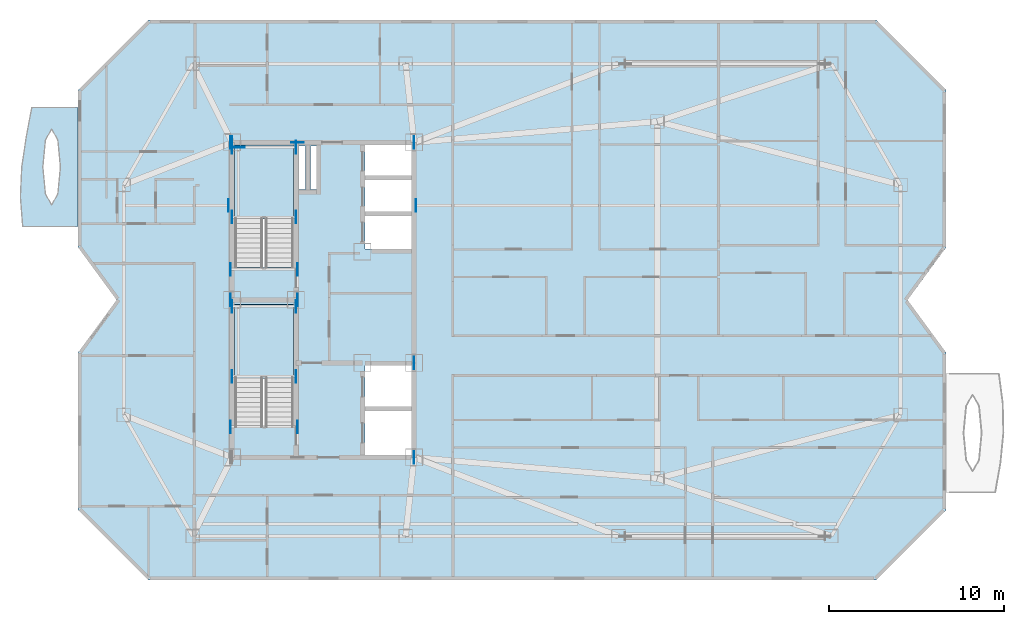
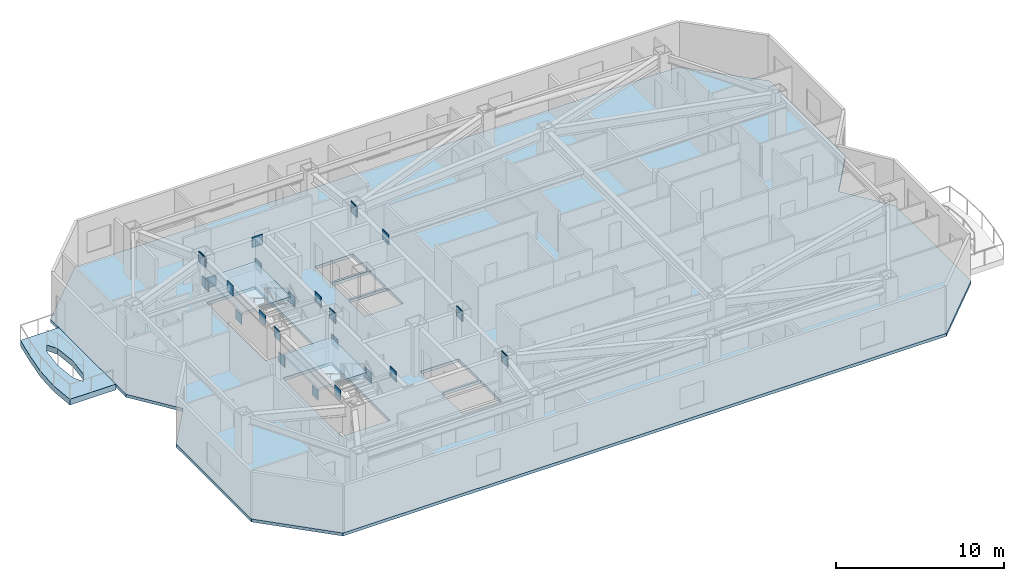
# One storey, part 2 of 11: 25 plates, 4 slabs, 2 elements without a shape of their own.
"""IFC4 building model written with IfcOpenShell, lengths in metres."""

from ifc_helpers import new_model, si_unit, direction, frame, origin, origin_2d, place, context, subcontext, project, spatial, polyline, rectangle, outline, extrude, material, layer, layer_set, type_object, element, aggregate, save


model = new_model("IFC4")

# Units and contexts
model_context = context("Model", 3, precision=1e-05, world=origin(), true_north=direction((0.0, 1.0)))
body_context = subcontext(model_context, "Body", "Model", "MODEL_VIEW")
ifc_project = project(units=[si_unit("LENGTHUNIT", "METRE"), si_unit("AREAUNIT", "SQUARE_METRE"), si_unit("VOLUMEUNIT", "CUBIC_METRE"), si_unit("PLANEANGLEUNIT", "RADIAN"), si_unit("MASSUNIT", "GRAM", prefix="KILO")], contexts=[model_context])

# Site, building, storey
site_placement = place(None, origin())
site = spatial("IfcSite", under=ifc_project, at=site_placement, CompositionType="ELEMENT")
building_placement = place(site_placement, origin())
building = spatial("IfcBuilding", under=site, at=building_placement, Name="Khamvora Tower", CompositionType="ELEMENT")
storey_placement = place(building_placement, frame((0.0, 0.0, 239.10009765625)))
storey = spatial("IfcBuildingStorey", under=building, at=storey_placement, Name="L61", CompositionType="ELEMENT", Elevation=239.10009765625)

# Plates
ifc_material_1 = material(Name="Steel S460", Category="steel")
ifc_layer_1 = layer(ifc_material_1, 0.034912109375)
ifc_layer_set_1 = layer_set([ifc_layer_1], Name="Steel S460")
plate_type = type_object("IfcPlateType", Name="PL-EMB-35", PredefinedType="SHEET", material=ifc_layer_set_1)
for number, where, z_axis, x_axis, name in (
    (1, (29.0, 23.635009765625, 1.1337890625), (0.0, 0.0, 1.0), (1.0, 0.0, 0.0), "L61 core shear wall cast-in embed plate 1774"),
    (2, (32.64990234375, 23.635009765625, 1.1337890625), (0.0, 0.0, 1.0), (1.0, 0.0, 0.0), "L61 core shear wall cast-in embed plate 1775"),
    (3, (29.0, 27.6298828125, 1.1337890625), (0.0, 0.0, 1.0), (1.0, 0.0, 0.0), "L61 core shear wall cast-in embed plate 1776"),
    (4, (32.64990234375, 27.6298828125, 1.1337890625), (0.0, 0.0, 1.0), (1.0, 0.0, 0.0), "L61 core shear wall cast-in embed plate 1777"),
    (5, (29.0, 32.735107421875, 1.1337890625), (0.0, 0.0, 1.0), (1.0, 0.0, 0.0), "L61 core shear wall cast-in embed plate 1778"),
    (6, (32.64990234375, 32.735107421875, 1.1337890625), (0.0, 0.0, 1.0), (1.0, 0.0, 0.0), "L61 core shear wall cast-in embed plate 1779"),
    (7, (29.0, 36.72998046875, 1.1337890625), (0.0, 0.0, 1.0), (1.0, 0.0, 0.0), "L61 core shear wall cast-in embed plate 1780"),
    (8, (32.64990234375, 36.72998046875, 1.1337890625), (0.0, 0.0, 1.0), (1.0, 0.0, 0.0), "L61 core shear wall cast-in embed plate 1781"),
):
    element("IfcPlate", number, at=place(storey_placement, frame(where, z_axis=z_axis, x_axis=x_axis)), inside=storey, type_object=plate_type, Name=name, PredefinedType="SHEET", context=body_context, shape_type="SweptSolid", body=[
        extrude(rectangle(XDim=0.034912109375, YDim=0.719970703125, at=origin_2d()), origin(), (0.0, 0.0, 1.0), 0.719970703125),
    ])
plate_1_placement = place(storey_placement, frame((29.35009765625, 36.72998046875, 1.1337890625), z_axis=(0.0, 0.0, 1.0), x_axis=(1.0, 0.0, 0.0)))
element("IfcPlate", 9, at=plate_1_placement, inside=storey, type_object=plate_type, Name="L61 core shear wall cast-in embed plate 1782", PredefinedType="SHEET", context=body_context, shape_type="SweptSolid", body=[
    extrude(rectangle(XDim=0.719970703125, YDim=0.034912109375, at=origin_2d()), origin(), (0.0, 0.0, 1.0), 0.719970703125),
])
for number, where, z_axis, x_axis, name in (
    (10, (39.39990234375, 19.0, 2.72314453125), (0.0, 0.0, 1.0), (1.0, 0.0, 0.0), "L61 core shear wall cast-in embed plate 1784"),
    (11, (29.0, 37.0, 2.72314453125), (0.0, 0.0, 1.0), (1.0, 0.0, 0.0), "L61 core shear wall cast-in embed plate 1785"),
    (12, (39.39990234375, 37.0, 2.72314453125), (0.0, 0.0, 1.0), (1.0, 0.0, 0.0), "L61 core shear wall cast-in embed plate 1786"),
    (13, (28.89990234375, 28.0, 2.802734375), (0.0, 0.0, 1.0), (1.0, 0.0, 0.0), "L61 core shear wall cast-in embed plate 1788"),
    (14, (28.89990234375, 37.0, 2.802734375), (0.0, 0.0, 1.0), (1.0, 0.0, 0.0), "L61 core shear wall cast-in embed plate 1789"),
    (15, (32.72998046875, 28.0, 2.802734375), (0.0, 0.0, 1.0), (1.0, 0.0, 0.0), "L61 core shear wall cast-in embed plate 1791"),
):
    element("IfcPlate", number, at=place(storey_placement, frame(where, z_axis=z_axis, x_axis=x_axis)), inside=storey, type_object=plate_type, Name=name, PredefinedType="SHEET", context=body_context, shape_type="SweptSolid", body=[
        extrude(rectangle(XDim=0.034912109375, YDim=0.719970703125, at=origin_2d()), origin(), (0.0, 0.0, 1.0), 0.719970703125),
    ])
plate_2_placement = place(storey_placement, frame((32.72998046875, 37.0, 2.802734375), z_axis=(0.0, 0.0, 1.0), x_axis=(1.0, 0.0, 0.0)))
element("IfcPlate", 16, at=plate_2_placement, inside=storey, type_object=plate_type, Name="L61 core shear wall cast-in embed plate 1792", PredefinedType="SHEET", context=body_context, shape_type="SweptSolid", body=[
    extrude(rectangle(XDim=0.719970703125, YDim=0.034912109375, at=origin_2d()), origin(), (0.0, 0.0, 1.0), 0.719970703125),
])
for number, where, z_axis, x_axis, name in (
    (17, (39.39990234375, 19.0, 2.802734375), (0.0, 0.0, 1.0), (1.0, 0.0, 0.0), "L61 core shear wall cast-in embed plate 1793"),
    (18, (39.39990234375, 24.39990234375, 2.802734375), (0.0, 0.0, 1.0), (1.0, 0.0, 0.0), "L61 core shear wall cast-in embed plate 1794"),
    (19, (39.39990234375, 37.0, 2.802734375), (0.0, 0.0, 1.0), (1.0, 0.0, 0.0), "L61 core shear wall cast-in embed plate 1795"),
    (20, (28.89990234375, 20.75, 2.94384765625), (0.0, 0.0, 1.0), (1.0, 0.0, 0.0), "L61 core shear wall cast-in embed plate 1796"),
    (21, (32.72998046875, 20.75, 2.94384765625), (0.0, 0.0, 1.0), (1.0, 0.0, 0.0), "L61 core shear wall cast-in embed plate 1797"),
    (22, (28.89990234375, 29.75, 2.94384765625), (0.0, 0.0, 1.0), (1.0, 0.0, 0.0), "L61 core shear wall cast-in embed plate 1798"),
    (23, (32.72998046875, 29.75, 2.94384765625), (0.0, 0.0, 1.0), (1.0, 0.0, 0.0), "L61 core shear wall cast-in embed plate 1799"),
    (24, (28.800048828125, 33.39990234375, 2.89208984375), (0.0, 0.0, 1.0), (1.0, 0.0, 0.0), "L61 core shear wall cast-in embed plate 1800"),
    (25, (39.4990234375, 33.39990234375, 2.89208984375), (0.0, 0.0, 1.0), (1.0, 0.0, 0.0), "L61 core shear wall cast-in embed plate 1801"),
):
    element("IfcPlate", number, at=place(storey_placement, frame(where, z_axis=z_axis, x_axis=x_axis)), inside=storey, type_object=plate_type, Name=name, PredefinedType="SHEET", context=body_context, shape_type="SweptSolid", body=[
        extrude(rectangle(XDim=0.034912109375, YDim=0.719970703125, at=origin_2d()), origin(), (0.0, 0.0, 1.0), 0.719970703125),
    ])

# Slab
ifc_material_2 = material(Name="Concrete C40/50", Category="concrete")
ifc_layer_2 = layer(ifc_material_2, 0.419921875)
ifc_layer_set_2 = layer_set([ifc_layer_2], Name="Concrete C40/50")
slab_type_1 = type_object("IfcSlabType", Name="SLB-GRD-420", PredefinedType="FLOOR", material=ifc_layer_set_2)
slab_1_placement = place(storey_placement, frame((0.0, 0.0, -0.420166015625)))
element("IfcSlab", 26, at=slab_1_placement, inside=storey, type_object=slab_type_1, Name="L61 external lens gallery slab WL2", PredefinedType="FLOOR", context=body_context, shape_type="SweptSolid", body=[
    extrude(outline(polyline([(20.199951171875, 32.199951171875), (20.199951171875, 39.0), (17.552001953125, 39.0), (17.23193359375, 37.300048828125), (16.97900390625, 35.60009765625), (16.902099609375, 33.89990234375), (17.032958984375, 32.199951171875), (20.199951171875, 32.199951171875)]), holes=[polyline([(19.18896484375, 35.60009765625), (19.041015625, 37.138916015625), (18.68505859375, 37.77587890625), (18.3291015625, 37.138916015625), (18.180908203125, 35.60009765625), (18.3291015625, 34.06103515625), (18.68505859375, 33.424072265625), (19.041015625, 34.06103515625), (19.18896484375, 35.60009765625)])]), origin(), (0.0, 0.0, 1.0), 0.420166015625),
])

# Stair, slab
stair_type_1 = type_object("IfcStairType", Name="STR-ST-01", PredefinedType="HALF_TURN_STAIR", material=ifc_material_2)
stair_1_placement = place(storey_placement, origin())
stair_1 = element("IfcStair", 27, at=stair_1_placement, inside=storey, type_object=stair_type_1, Name="L61 South Tower Exit Stair ST-01", PredefinedType="HALF_TURN_STAIR")
ifc_layer_3 = layer(ifc_material_2, 0.199951171875)
ifc_layer_set_3 = layer_set([ifc_layer_3], Name="Concrete C40/50")
slab_type_2 = type_object("IfcSlabType", Name="SLB-LND-200", PredefinedType="LANDING", material=ifc_layer_set_3)
slab_2_placement = place(storey_placement, frame((0.0, 0.0, 1.625)))
slab_2 = element("IfcSlab", 28, at=slab_2_placement, type_object=slab_type_2, Name="ST-01 landing 1", PredefinedType="LANDING", context=body_context, shape_type="SweptSolid", body=[
    extrude(outline(polyline([(32.5, 23.514892578125), (32.5, 27.75), (29.14990234375, 27.75), (29.14990234375, 23.514892578125), (32.5, 23.514892578125)])), origin(), (0.0, 0.0, 1.0), 0.199951171875),
])
aggregate(stair_1, [slab_2])

stair_type_2 = type_object("IfcStairType", Name="STR-ST-02", PredefinedType="HALF_TURN_STAIR", material=ifc_material_2)
stair_2_placement = place(storey_placement, origin())
stair_2 = element("IfcStair", 29, at=stair_2_placement, inside=storey, type_object=stair_type_2, Name="L61 North Tower Exit Stair ST-02", PredefinedType="HALF_TURN_STAIR")
slab_3_placement = place(storey_placement, frame((0.0, 0.0, 1.625)))
slab_3 = element("IfcSlab", 30, at=slab_3_placement, type_object=slab_type_2, Name="ST-02 landing 1", PredefinedType="LANDING", context=body_context, shape_type="SweptSolid", body=[
    extrude(outline(polyline([(32.5, 32.614990234375), (32.5, 36.85009765625), (29.14990234375, 36.85009765625), (29.14990234375, 32.614990234375), (32.5, 32.614990234375)])), origin(), (0.0, 0.0, 1.0), 0.199951171875),
])
aggregate(stair_2, [slab_3])

# Slab
ifc_material_3 = material(Name="Concrete C35/45", Category="concrete")
ifc_layer_4 = layer(ifc_material_3, 0.219970703125)
ifc_layer_set_4 = layer_set([ifc_layer_4], Name="Concrete C35/45")
slab_type_3 = type_object("IfcSlabType", Name="SLB-TYP-220", PredefinedType="FLOOR", material=ifc_layer_set_4)
slab_4_placement = place(storey_placement, frame((0.0, 0.0, -0.22021484375)))
element("IfcSlab", 31, at=slab_4_placement, inside=storey, type_object=slab_type_3, Name="L61 structural floor slab", PredefinedType="FLOOR", context=body_context, shape_type="SweptSolid", body=[
    extrude(outline(polyline([(24.199951171875, 12.0), (65.800048828125, 12.0), (69.800048828125, 16.0), (69.800048828125, 25.0), (67.60009765625, 28.0), (69.800048828125, 31.0), (69.800048828125, 40.0), (65.800048828125, 44.0), (24.199951171875, 44.0), (20.199951171875, 40.0), (20.199951171875, 31.0), (22.39990234375, 28.0), (20.199951171875, 25.0), (20.199951171875, 16.0), (24.199951171875, 12.0)]), holes=[polyline([(32.5, 20.760009765625), (32.5, 27.75), (29.14990234375, 27.75), (29.14990234375, 20.760009765625), (32.5, 20.760009765625)]), polyline([(32.5, 29.860107421875), (32.5, 36.85009765625), (29.14990234375, 36.85009765625), (29.14990234375, 29.860107421875), (32.5, 29.860107421875)]), polyline([(36.60009765625, 19.14990234375), (39.25, 19.14990234375), (39.25, 21.64990234375), (36.60009765625, 21.64990234375), (36.60009765625, 19.14990234375)]), polyline([(36.60009765625, 21.800048828125), (39.25, 21.800048828125), (39.25, 24.25), (36.60009765625, 24.25), (36.60009765625, 21.800048828125)]), polyline([(36.60009765625, 30.89990234375), (39.25, 30.89990234375), (39.25, 32.800048828125), (36.60009765625, 32.800048828125), (36.60009765625, 30.89990234375)]), polyline([(36.60009765625, 32.949951171875), (39.25, 32.949951171875), (39.25, 34.85009765625), (36.60009765625, 34.85009765625), (36.60009765625, 32.949951171875)]), polyline([(36.60009765625, 35.0), (39.25, 35.0), (39.25, 36.85009765625), (36.60009765625, 36.85009765625), (36.60009765625, 35.0)]), polyline([(32.800048828125, 34.300048828125), (33.199951171875, 34.300048828125), (33.199951171875, 36.800048828125), (32.800048828125, 36.800048828125), (32.800048828125, 34.300048828125)]), polyline([(33.47998046875, 34.300048828125), (33.820068359375, 34.300048828125), (33.820068359375, 36.800048828125), (33.47998046875, 36.800048828125), (33.47998046875, 34.300048828125)])]), origin(), (0.0, 0.0, 1.0), 0.22021484375),
])

save(model, "model.ifc")
